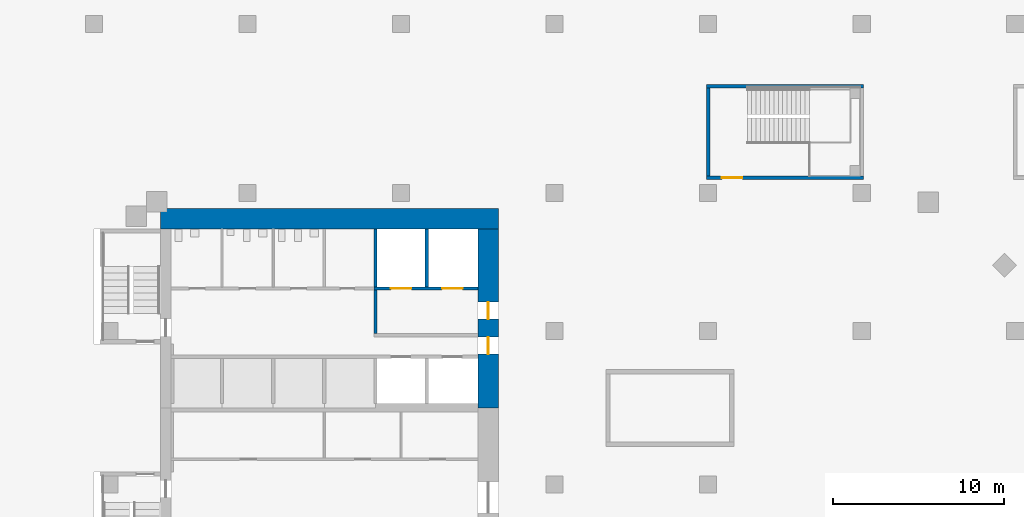
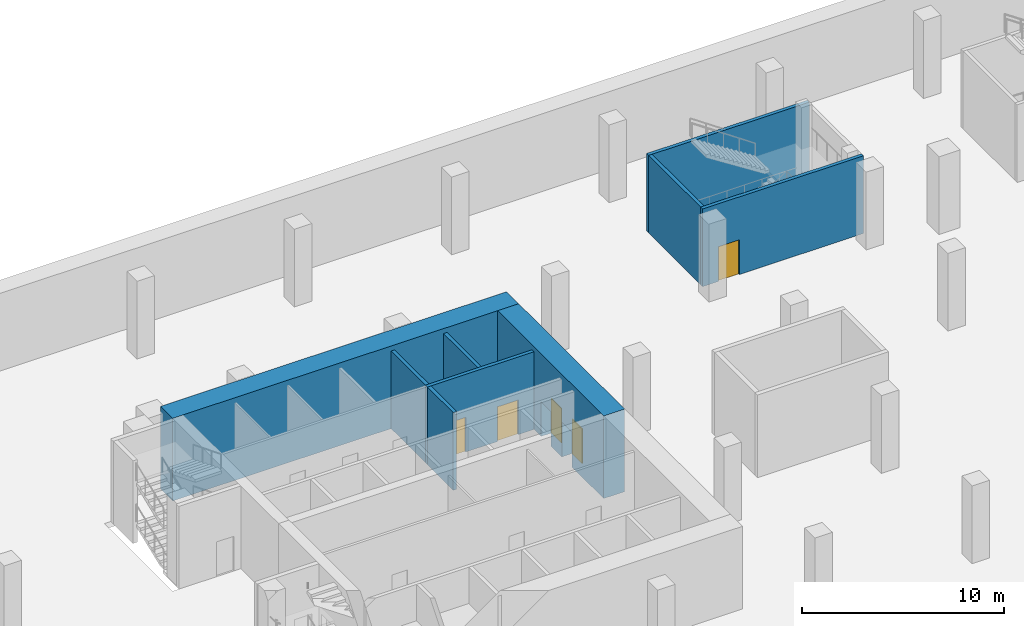
# One storey, part 8 of 19: 9 walls, 5 doors, 5 openings.
"""IFC4 building model written with IfcOpenShell, lengths in metres."""

from ifc_helpers import new_model, si_unit, direction, frame, frame_2d, origin, place, context, subcontext, project, spatial, rectangle, extrude, material, layer, layer_set, type_object, element, fill, save


model = new_model("IFC4")

# Units and contexts
model_context = context("Model", 3, precision=1e-05, world=origin(), true_north=direction((0.0, 1.0)))
body_context = subcontext(model_context, "Body", "Model", "MODEL_VIEW")
ifc_project = project(units=[si_unit("LENGTHUNIT", "METRE"), si_unit("AREAUNIT", "SQUARE_METRE"), si_unit("VOLUMEUNIT", "CUBIC_METRE"), si_unit("PLANEANGLEUNIT", "RADIAN"), si_unit("MASSUNIT", "GRAM", prefix="KILO")], contexts=[model_context])

# Site, building, storey
site_placement = place(None, origin())
site = spatial("IfcSite", under=ifc_project, at=site_placement, CompositionType="ELEMENT")
building_placement = place(site_placement, origin())
building = spatial("IfcBuilding", under=site, at=building_placement, Name="Cinnabar Reach Civic Tower", CompositionType="ELEMENT")
storey_placement = place(building_placement, frame((0.0, 0.0, -5.0)))
storey = spatial("IfcBuildingStorey", under=building, at=storey_placement, Name="B1", CompositionType="ELEMENT", Elevation=-5.0)

# Wall
ifc_material_1 = material(Name="Concrete C70", Category="concrete")
ifc_layer_1 = layer(ifc_material_1, 1.2)
ifc_layer_set_1 = layer_set([ifc_layer_1], Name="Core wall 1200 EI 180")
wall_type_1 = type_object("IfcWallType", Name="Core wall 1200 EI 180", PredefinedType="SOLIDWALL", material=ifc_layer_set_1)
wall_1_placement = place(storey_placement, frame((23.7, 42.6, 0.0), z_axis=(0.0, 0.0, 1.0), x_axis=(-1.0, 0.0, 0.0)))
element("IfcWall", 1, at=wall_1_placement, inside=storey, type_object=wall_type_1, Name="Core wall T1 B1 N", PredefinedType="SOLIDWALL", context=body_context, shape_type="SweptSolid", body=[
    extrude(rectangle(XDim=19.8, YDim=1.2, at=frame_2d((9.9, 0.0))), origin(), (0.0, 0.0, 1.0), 5.0),
])

# Wall, openings, doors
wall_2_placement = place(storey_placement, frame((23.1, 31.5, 0.0), z_axis=(0.0, 0.0, 1.0), x_axis=(0.0, 1.0, 0.0)))
wall_2 = element("IfcWall", 2, at=wall_2_placement, inside=storey, type_object=wall_type_1, Name="Core wall T1 B1 E2", PredefinedType="SOLIDWALL", context=body_context, shape_type="SweptSolid", body=[
    extrude(rectangle(XDim=10.5, YDim=1.2, at=frame_2d((5.25, 0.0))), origin(), (0.0, 0.0, 1.0), 5.0),
])
opening_1_placement = place(wall_2_placement, frame((3.15, 0.0, 0.0)))
opening_1 = element("IfcOpeningElement", 3, at=opening_1_placement, cuts=wall_2, Name="Opening D3049", PredefinedType="OPENING", context=body_context, shape_type="SweptSolid", body=[
    extrude(rectangle(XDim=1.0, YDim=2.1, at=frame_2d((0.5, 1.05))), frame((0.0, 0.61, 0.0), z_axis=(0.0, -1.0, 0.0), x_axis=(1.0, 0.0, 0.0)), (0.0, 0.0, 1.0), 1.22),
])
opening_2_placement = place(wall_2_placement, frame((5.2, 0.0, 0.0)))
opening_2 = element("IfcOpeningElement", 4, at=opening_2_placement, cuts=wall_2, Name="Opening D3050", PredefinedType="OPENING", context=body_context, shape_type="SweptSolid", body=[
    extrude(rectangle(XDim=1.0, YDim=2.1, at=frame_2d((0.5, 1.05))), frame((0.0, 0.61, 0.0), z_axis=(0.0, -1.0, 0.0), x_axis=(1.0, 0.0, 0.0)), (0.0, 0.0, 1.0), 1.22),
])
ifc_material_2 = material(Name="Timber door leaf in steel frame", Category="steel")
door_type_1 = type_object("IfcDoorType", Name="Firefighting lobby door 1000 x 2100 T1", OperationType="SINGLE_SWING_LEFT", PredefinedType="DOOR", material=ifc_material_2)
door_1_placement = place(opening_2_placement, frame((1.0, 0.0, 0.0), z_axis=(0.0, 0.0, 1.0), x_axis=(-1.0, 0.0, 0.0)))
door_1 = element("IfcDoor", 5, at=door_1_placement, inside=storey, type_object=door_type_1, Name="Door D3050", OperationType="SINGLE_SWING_LEFT", OverallHeight=2.1, OverallWidth=1.0, PredefinedType="DOOR", context=body_context, shape_type="SweptSolid", body=[
    extrude(rectangle(XDim=1.0, YDim=2.1, at=frame_2d((0.5, 1.05))), frame((0.0, 0.025, 0.0), z_axis=(0.0, -1.0, 0.0), x_axis=(1.0, 0.0, 0.0)), (0.0, 0.0, 1.0), 0.05),
])
fill(opening_2, door_1)
door_type_2 = type_object("IfcDoorType", Name="Single swing door 1000 x 2100 T1", OperationType="SINGLE_SWING_LEFT", PredefinedType="DOOR", material=ifc_material_2)
door_2_placement = place(opening_1_placement, frame((1.0, 0.0, 0.0), z_axis=(0.0, 0.0, 1.0), x_axis=(-1.0, 0.0, 0.0)))
door_2 = element("IfcDoor", 6, at=door_2_placement, inside=storey, type_object=door_type_2, Name="Door D3049", OperationType="SINGLE_SWING_RIGHT", OverallHeight=2.1, OverallWidth=1.0, PredefinedType="DOOR", context=body_context, shape_type="SweptSolid", body=[
    extrude(rectangle(XDim=1.0, YDim=2.1, at=frame_2d((0.5, 1.05))), frame((0.0, 0.025, 0.0), z_axis=(0.0, -1.0, 0.0), x_axis=(1.0, 0.0, 0.0)), (0.0, 0.0, 1.0), 0.05),
])
fill(opening_1, door_2)

# Walls
ifc_material_3 = material(Name="Blockwork", Category="masonry")
ifc_layer_2 = layer(ifc_material_3, 0.2)
ifc_layer_set_2 = layer_set([ifc_layer_2], Name="Lift shaft wall 200 T1")
wall_type_2 = type_object("IfcWallType", Name="Lift shaft wall 200 T1", PredefinedType="PARTITIONING", material=ifc_layer_set_2)
for number, where, z_axis, x_axis, name in (
    (7, (16.5, 38.6, 0.0), (0.0, 0.0, 1.0), (0.0, 1.0, 0.0), "Lift shaft wall 6"),
    (8, (19.5, 38.6, 0.0), (0.0, 0.0, 1.0), (0.0, 1.0, 0.0), "Lift shaft wall 7"),
):
    element("IfcWall", number, at=place(storey_placement, frame(where, z_axis=z_axis, x_axis=x_axis)), inside=storey, type_object=wall_type_2, Name=name, PredefinedType="PARTITIONING", context=body_context, shape_type="SweptSolid", body=[
        extrude(rectangle(XDim=3.4, YDim=0.2, at=frame_2d((1.7, 0.0))), origin(), (0.0, 0.0, 1.0), 4.7),
    ])
ifc_material_4 = material(Name="Concrete C40", Category="concrete")
ifc_layer_3 = layer(ifc_material_4, 0.2)
ifc_layer_set_3 = layer_set([ifc_layer_3], Name="Podium stair shaft wall 200 EI 120")
wall_type_3 = type_object("IfcWallType", Name="Podium stair shaft wall 200 EI 120", PredefinedType="SOLIDWALL", material=ifc_layer_set_3)
wall_3_placement = place(storey_placement, frame((35.9, 50.35, 0.0), z_axis=(0.0, 0.0, 1.0), x_axis=(1.0, 0.0, 0.0)))
element("IfcWall", 9, at=wall_3_placement, inside=storey, type_object=wall_type_3, Name="Wall B1 19", PredefinedType="SOLIDWALL", context=body_context, shape_type="SweptSolid", body=[
    extrude(rectangle(XDim=9.2, YDim=0.2, at=frame_2d((4.6, 0.0))), origin(), (0.0, 0.0, 1.0), 4.7),
])

# Wall, opening, door
wall_4_placement = place(storey_placement, frame((35.9, 45.0, 0.0), z_axis=(0.0, 0.0, 1.0), x_axis=(1.0, 0.0, 0.0)))
wall_4 = element("IfcWall", 10, at=wall_4_placement, inside=storey, type_object=wall_type_3, Name="Wall B1 21", PredefinedType="SOLIDWALL", context=body_context, shape_type="SweptSolid", body=[
    extrude(rectangle(XDim=9.2, YDim=0.2, at=frame_2d((4.6, 0.0))), origin(), (0.0, 0.0, 1.0), 4.7),
])
opening_3_placement = place(wall_4_placement, frame((0.9, 0.0, 0.0)))
opening_3 = element("IfcOpeningElement", 11, at=opening_3_placement, cuts=wall_4, Name="Opening D1289", PredefinedType="OPENING", context=body_context, shape_type="SweptSolid", body=[
    extrude(rectangle(XDim=1.2, YDim=2.1, at=frame_2d((0.6, 1.05))), frame((0.0, 0.11, 0.0), z_axis=(0.0, -1.0, 0.0), x_axis=(1.0, 0.0, 0.0)), (0.0, 0.0, 1.0), 0.22),
])
ifc_material_5 = material(Name="Painted steel door leaf", Category="steel")
door_type_3 = type_object("IfcDoorType", Name="Podium single door 1200x2100", OperationType="SINGLE_SWING_LEFT", PredefinedType="DOOR", material=ifc_material_5)
door_3_placement = place(opening_3_placement, origin())
door_3 = element("IfcDoor", 12, at=door_3_placement, inside=storey, type_object=door_type_3, Name="Door D1289", OperationType="SINGLE_SWING_RIGHT", OverallHeight=2.1, OverallWidth=1.2, PredefinedType="DOOR", context=body_context, shape_type="SweptSolid", body=[
    extrude(rectangle(XDim=1.2, YDim=2.1, at=frame_2d((0.6, 1.05))), frame((0.0, 0.025, 0.0), z_axis=(0.0, -1.0, 0.0), x_axis=(1.0, 0.0, 0.0)), (0.0, 0.0, 1.0), 0.05),
])
fill(opening_3, door_3)

# Wall
wall_5_placement = place(storey_placement, frame((36.0, 45.1, 0.0), z_axis=(0.0, 0.0, 1.0), x_axis=(0.0, 1.0, 0.0)))
element("IfcWall", 13, at=wall_5_placement, inside=storey, type_object=wall_type_3, Name="Wall B1 22", PredefinedType="SOLIDWALL", context=body_context, shape_type="SweptSolid", body=[
    extrude(rectangle(XDim=5.15, YDim=0.2, at=frame_2d((2.575, 0.0))), origin(), (0.0, 0.0, 1.0), 4.7),
])

# Wall, openings, doors
ifc_layer_4 = layer(ifc_material_4, 0.2)
ifc_layer_set_4 = layer_set([ifc_layer_4], Name="Refuge compartment wall 200 T1")
wall_type_4 = type_object("IfcWallType", Name="Refuge compartment wall 200 T1", PredefinedType="PARTITIONING", material=ifc_layer_set_4)
wall_6_placement = place(storey_placement, frame((16.4, 38.5, 0.0), z_axis=(0.0, 0.0, 1.0), x_axis=(1.0, 0.0, 0.0)))
wall_6 = element("IfcWall", 14, at=wall_6_placement, inside=storey, type_object=wall_type_4, Name="Refuge compartment wall 2", PredefinedType="PARTITIONING", context=body_context, shape_type="SweptSolid", body=[
    extrude(rectangle(XDim=6.1, YDim=0.2, at=frame_2d((3.05, 0.0))), origin(), (0.0, 0.0, 1.0), 4.7),
])
opening_4_placement = place(wall_6_placement, frame((1.0, 0.0, 0.0)))
opening_4 = element("IfcOpeningElement", 15, at=opening_4_placement, cuts=wall_6, Name="Opening D3046", PredefinedType="OPENING", context=body_context, shape_type="SweptSolid", body=[
    extrude(rectangle(XDim=1.2, YDim=2.1, at=frame_2d((0.6, 1.05))), frame((0.0, 0.11, 0.0), z_axis=(0.0, -1.0, 0.0), x_axis=(1.0, 0.0, 0.0)), (0.0, 0.0, 1.0), 0.22),
])
opening_5_placement = place(wall_6_placement, frame((4.0, 0.0, 0.0)))
opening_5 = element("IfcOpeningElement", 16, at=opening_5_placement, cuts=wall_6, Name="Opening D3047", PredefinedType="OPENING", context=body_context, shape_type="SweptSolid", body=[
    extrude(rectangle(XDim=1.2, YDim=2.1, at=frame_2d((0.6, 1.05))), frame((0.0, 0.11, 0.0), z_axis=(0.0, -1.0, 0.0), x_axis=(1.0, 0.0, 0.0)), (0.0, 0.0, 1.0), 0.22),
])
ifc_material_6 = material(Name="Stainless steel sliding door", Category="steel")
door_type_4 = type_object("IfcDoorType", Name="Firefighting lift landing door 1200 x 2100 T1", OperationType="SLIDING_TO_LEFT", PredefinedType="DOOR", material=ifc_material_6)
door_4_placement = place(opening_4_placement, origin())
door_4 = element("IfcDoor", 17, at=door_4_placement, inside=storey, type_object=door_type_4, Name="Lift landing door FF1 B1", OperationType="SLIDING_TO_LEFT", OverallHeight=2.1, OverallWidth=1.2, PredefinedType="DOOR", context=body_context, shape_type="SweptSolid", body=[
    extrude(rectangle(XDim=1.2, YDim=2.1, at=frame_2d((0.6, 1.05))), frame((0.0, 0.025, 0.0), z_axis=(0.0, -1.0, 0.0), x_axis=(1.0, 0.0, 0.0)), (0.0, 0.0, 1.0), 0.05),
])
fill(opening_4, door_4)
door_5_placement = place(opening_5_placement, origin())
door_5 = element("IfcDoor", 18, at=door_5_placement, inside=storey, type_object=door_type_4, Name="Lift landing door FF2 B1", OperationType="SLIDING_TO_LEFT", OverallHeight=2.1, OverallWidth=1.2, PredefinedType="DOOR", context=body_context, shape_type="SweptSolid", body=[
    extrude(rectangle(XDim=1.2, YDim=2.1, at=frame_2d((0.6, 1.05))), frame((0.0, 0.025, 0.0), z_axis=(0.0, -1.0, 0.0), x_axis=(1.0, 0.0, 0.0)), (0.0, 0.0, 1.0), 0.05),
])
fill(opening_5, door_5)

# Wall
wall_7_placement = place(storey_placement, frame((16.5, 35.85, 0.0), z_axis=(0.0, 0.0, 1.0), x_axis=(0.0, 1.0, 0.0)))
element("IfcWall", 19, at=wall_7_placement, inside=storey, type_object=wall_type_4, Name="Refuge compartment wall 3", PredefinedType="PARTITIONING", context=body_context, shape_type="SweptSolid", body=[
    extrude(rectangle(XDim=2.55, YDim=0.2, at=frame_2d((1.275, 0.0))), origin(), (0.0, 0.0, 1.0), 4.7),
])

save(model, "model.ifc")
